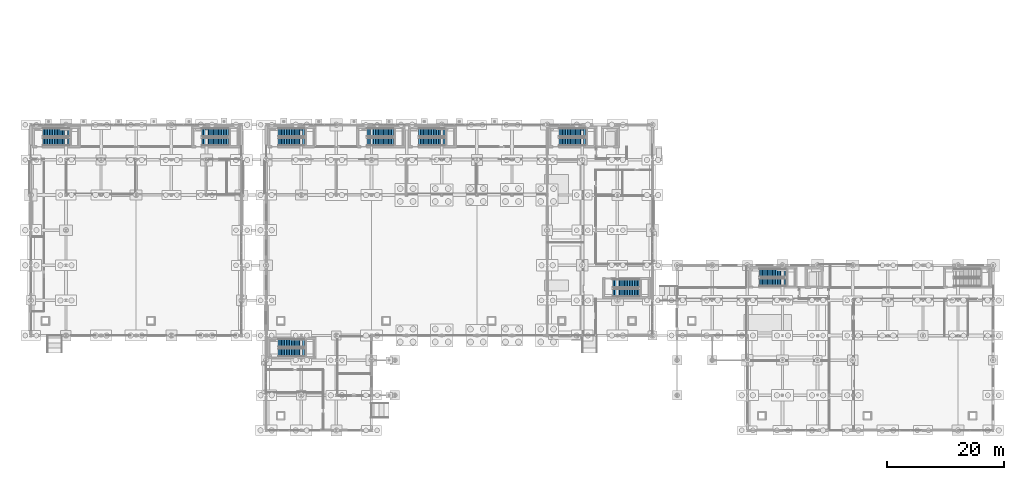
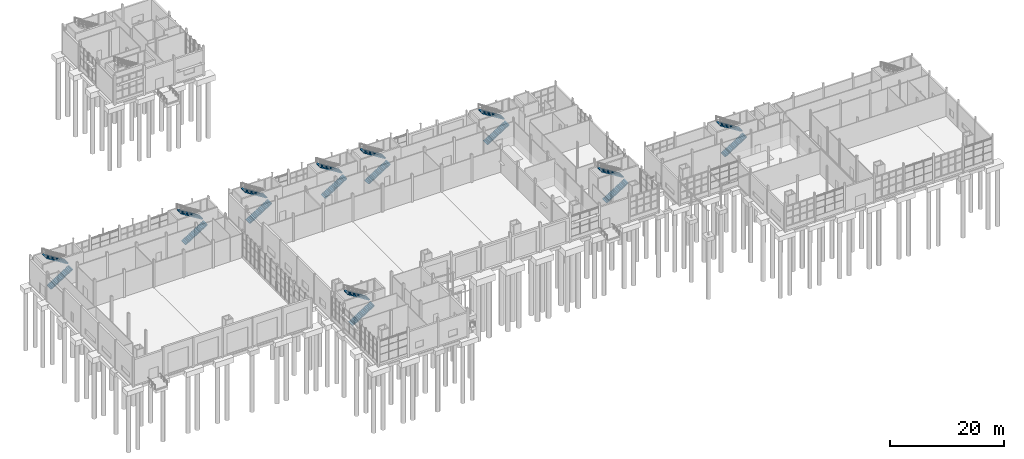
# One storey, part 105 of 120: 18 stair flights, 9 elements without a shape of their own.
"""IFC4 building model written with IfcOpenShell, lengths in metres."""

from ifc_helpers import new_model, si_unit, direction, frame, origin, place, context, subcontext, project, spatial, polyline, outline, extrude, material, type_object, element, aggregate, save


model = new_model("IFC4")

# Units and contexts
model_context = context("Model", 3, precision=1e-05, world=origin(), true_north=direction((0.0, 1.0)))
body_context = subcontext(model_context, "Body", "Model", "MODEL_VIEW")
ifc_project = project(units=[si_unit("LENGTHUNIT", "METRE"), si_unit("AREAUNIT", "SQUARE_METRE"), si_unit("VOLUMEUNIT", "CUBIC_METRE"), si_unit("PLANEANGLEUNIT", "RADIAN"), si_unit("MASSUNIT", "GRAM", prefix="KILO")], contexts=[model_context])

# Site, building, storey
site_placement = place(None, origin())
site = spatial("IfcSite", under=ifc_project, at=site_placement, CompositionType="ELEMENT")
building_placement = place(site_placement, origin())
building = spatial("IfcBuilding", under=site, at=building_placement, Name="Siltcreek Boulevard Central Fire Station", CompositionType="ELEMENT")
storey_placement = place(building_placement, origin())
storey = spatial("IfcBuildingStorey", under=building, at=storey_placement, Name="L01", CompositionType="ELEMENT", Elevation=0.0)

# Stair, stair flights
ifc_material = material(Name="Precast concrete C40/50", Category="concrete")
stair_type = type_object("IfcStairType", Name="ST_DOG_H60", PredefinedType="HALF_TURN_STAIR", material=ifc_material)
stair_1_placement = place(storey_placement, origin())
stair_1 = element("IfcStair", 1, at=stair_1_placement, inside=storey, type_object=stair_type, Name="L01 Enclosed exit stairway ST-V4A", PredefinedType="HALF_TURN_STAIR")
stair_flight_type = type_object("IfcStairFlightType", Name="SF_DOG_H60", PredefinedType="STRAIGHT", material=ifc_material)
stair_flight_1_placement = place(storey_placement, frame((3.85009765625, 51.10009765625, 0.0), z_axis=(0.0, 0.0, 1.0), x_axis=(1.0, 0.0, 0.0)))
stair_flight_1 = element("IfcStairFlight", 2, at=stair_flight_1_placement, type_object=stair_flight_type, Name="ST-V4A flight 1", NumberOfRisers=17, NumberOfTreads=16, PredefinedType="STRAIGHT", RiserHeight=0.176470588, TreadLength=0.28, context=body_context, shape_type="SweptSolid", body=[
    extrude(outline(polyline([(0.0, 0.0), (0.0, 0.176513671875), (0.280029296875, 0.176513671875), (0.280029296875, 0.35302734375), (0.56005859375, 0.35302734375), (0.56005859375, 0.529296875), (0.840087890625, 0.529296875), (0.840087890625, 0.705810546875), (1.1201171875, 0.705810546875), (1.1201171875, 0.88232421875), (1.39990234375, 0.88232421875), (1.39990234375, 1.058837890625), (1.679931640625, 1.058837890625), (1.679931640625, 1.2353515625), (1.9599609375, 1.2353515625), (1.9599609375, 1.411865234375), (2.239990234375, 1.411865234375), (2.239990234375, 1.588134765625), (2.52001953125, 1.588134765625), (2.52001953125, 1.7646484375), (2.800048828125, 1.7646484375), (2.800048828125, 1.941162109375), (3.080078125, 1.941162109375), (3.080078125, 2.11767578125), (3.360107421875, 2.11767578125), (3.360107421875, 2.294189453125), (3.639892578125, 2.294189453125), (3.639892578125, 2.470703125), (3.919921875, 2.470703125), (3.919921875, 2.64697265625), (4.199951171875, 2.64697265625), (4.199951171875, 2.823486328125), (4.47998046875, 2.823486328125), (4.47998046875, 3.0), (4.47998046875, 2.634521484375), (0.2998046875, 0.0), (0.0, 0.0)])), frame((0.0, 0.699951171875, 0.0), z_axis=(0.0, -1.0, 0.0), x_axis=(1.0, 0.0, 0.0)), (0.0, 0.0, 1.0), 1.39990234375),
])
stair_flight_2_placement = place(storey_placement, frame((8.330078125, 52.699951171875, 3.0), z_axis=(0.0, 0.0, 1.0), x_axis=(-1.0, 0.0, 0.0)))
stair_flight_2 = element("IfcStairFlight", 3, at=stair_flight_2_placement, type_object=stair_flight_type, Name="ST-V4A flight 2", NumberOfRisers=17, NumberOfTreads=16, PredefinedType="STRAIGHT", RiserHeight=0.176470588, TreadLength=0.28, context=body_context, shape_type="SweptSolid", body=[
    extrude(outline(polyline([(0.0, 0.0), (0.0, 0.176513671875), (0.280029296875, 0.176513671875), (0.280029296875, 0.35302734375), (0.56005859375, 0.35302734375), (0.56005859375, 0.529296875), (0.840087890625, 0.529296875), (0.840087890625, 0.705810546875), (1.1201171875, 0.705810546875), (1.1201171875, 0.88232421875), (1.39990234375, 0.88232421875), (1.39990234375, 1.058837890625), (1.679931640625, 1.058837890625), (1.679931640625, 1.2353515625), (1.9599609375, 1.2353515625), (1.9599609375, 1.411865234375), (2.239990234375, 1.411865234375), (2.239990234375, 1.588134765625), (2.52001953125, 1.588134765625), (2.52001953125, 1.7646484375), (2.800048828125, 1.7646484375), (2.800048828125, 1.941162109375), (3.080078125, 1.941162109375), (3.080078125, 2.11767578125), (3.360107421875, 2.11767578125), (3.360107421875, 2.294189453125), (3.639892578125, 2.294189453125), (3.639892578125, 2.470703125), (3.919921875, 2.470703125), (3.919921875, 2.64697265625), (4.199951171875, 2.64697265625), (4.199951171875, 2.823486328125), (4.47998046875, 2.823486328125), (4.47998046875, 3.0), (4.47998046875, 2.634521484375), (0.2998046875, 0.0), (0.0, 0.0)])), frame((0.0, 0.699951171875, 0.0), z_axis=(0.0, -1.0, 0.0), x_axis=(1.0, 0.0, 0.0)), (0.0, 0.0, 1.0), 1.39990234375),
])
aggregate(stair_1, [stair_flight_1, stair_flight_2])

stair_2_placement = place(storey_placement, origin())
stair_2 = element("IfcStair", 4, at=stair_2_placement, inside=storey, type_object=stair_type, Name="L01 Enclosed exit stairway ST-V4B", PredefinedType="HALF_TURN_STAIR")
stair_flight_3_placement = place(storey_placement, frame((31.050048828125, 51.10009765625, 0.0), z_axis=(0.0, 0.0, 1.0), x_axis=(1.0, 0.0, 0.0)))
stair_flight_3 = element("IfcStairFlight", 5, at=stair_flight_3_placement, type_object=stair_flight_type, Name="ST-V4B flight 1", NumberOfRisers=17, NumberOfTreads=16, PredefinedType="STRAIGHT", RiserHeight=0.176470588, TreadLength=0.28, context=body_context, shape_type="SweptSolid", body=[
    extrude(outline(polyline([(0.0, 0.0), (0.0, 0.176513671875), (0.280029296875, 0.176513671875), (0.280029296875, 0.35302734375), (0.56005859375, 0.35302734375), (0.56005859375, 0.529296875), (0.840087890625, 0.529296875), (0.840087890625, 0.705810546875), (1.1201171875, 0.705810546875), (1.1201171875, 0.88232421875), (1.39990234375, 0.88232421875), (1.39990234375, 1.058837890625), (1.679931640625, 1.058837890625), (1.679931640625, 1.2353515625), (1.9599609375, 1.2353515625), (1.9599609375, 1.411865234375), (2.239990234375, 1.411865234375), (2.239990234375, 1.588134765625), (2.52001953125, 1.588134765625), (2.52001953125, 1.7646484375), (2.800048828125, 1.7646484375), (2.800048828125, 1.941162109375), (3.080078125, 1.941162109375), (3.080078125, 2.11767578125), (3.360107421875, 2.11767578125), (3.360107421875, 2.294189453125), (3.639892578125, 2.294189453125), (3.639892578125, 2.470703125), (3.919921875, 2.470703125), (3.919921875, 2.64697265625), (4.199951171875, 2.64697265625), (4.199951171875, 2.823486328125), (4.47998046875, 2.823486328125), (4.47998046875, 3.0), (4.47998046875, 2.634521484375), (0.2998046875, 0.0), (0.0, 0.0)])), frame((0.0, 0.699951171875, 0.0), z_axis=(0.0, -1.0, 0.0), x_axis=(1.0, 0.0, 0.0)), (0.0, 0.0, 1.0), 1.39990234375),
])
stair_flight_4_placement = place(storey_placement, frame((35.530029296875, 52.699951171875, 3.0), z_axis=(0.0, 0.0, 1.0), x_axis=(-1.0, 0.0, 0.0)))
stair_flight_4 = element("IfcStairFlight", 6, at=stair_flight_4_placement, type_object=stair_flight_type, Name="ST-V4B flight 2", NumberOfRisers=17, NumberOfTreads=16, PredefinedType="STRAIGHT", RiserHeight=0.176470588, TreadLength=0.28, context=body_context, shape_type="SweptSolid", body=[
    extrude(outline(polyline([(0.0, 0.0), (0.0, 0.176513671875), (0.280029296875, 0.176513671875), (0.280029296875, 0.35302734375), (0.56005859375, 0.35302734375), (0.56005859375, 0.529296875), (0.840087890625, 0.529296875), (0.840087890625, 0.705810546875), (1.1201171875, 0.705810546875), (1.1201171875, 0.88232421875), (1.39990234375, 0.88232421875), (1.39990234375, 1.058837890625), (1.679931640625, 1.058837890625), (1.679931640625, 1.2353515625), (1.9599609375, 1.2353515625), (1.9599609375, 1.411865234375), (2.239990234375, 1.411865234375), (2.239990234375, 1.588134765625), (2.52001953125, 1.588134765625), (2.52001953125, 1.7646484375), (2.800048828125, 1.7646484375), (2.800048828125, 1.941162109375), (3.080078125, 1.941162109375), (3.080078125, 2.11767578125), (3.360107421875, 2.11767578125), (3.360107421875, 2.294189453125), (3.639892578125, 2.294189453125), (3.639892578125, 2.470703125), (3.919921875, 2.470703125), (3.919921875, 2.64697265625), (4.199951171875, 2.64697265625), (4.199951171875, 2.823486328125), (4.47998046875, 2.823486328125), (4.47998046875, 3.0), (4.47998046875, 2.634521484375), (0.2998046875, 0.0), (0.0, 0.0)])), frame((0.0, 0.699951171875, 0.0), z_axis=(0.0, -1.0, 0.0), x_axis=(1.0, 0.0, 0.0)), (0.0, 0.0, 1.0), 1.39990234375),
])
aggregate(stair_2, [stair_flight_3, stair_flight_4])

stair_3_placement = place(storey_placement, origin())
stair_3 = element("IfcStair", 7, at=stair_3_placement, inside=storey, type_object=stair_type, Name="L01 Enclosed exit stairway ST-V1A", PredefinedType="HALF_TURN_STAIR")
stair_flight_5_placement = place(storey_placement, frame((44.050048828125, 51.10009765625, 0.0), z_axis=(0.0, 0.0, 1.0), x_axis=(1.0, 0.0, 0.0)))
stair_flight_5 = element("IfcStairFlight", 8, at=stair_flight_5_placement, type_object=stair_flight_type, Name="ST-V1A flight 1", NumberOfRisers=17, NumberOfTreads=16, PredefinedType="STRAIGHT", RiserHeight=0.176470588, TreadLength=0.28, context=body_context, shape_type="SweptSolid", body=[
    extrude(outline(polyline([(0.0, 0.0), (0.0, 0.176513671875), (0.280029296875, 0.176513671875), (0.280029296875, 0.35302734375), (0.56005859375, 0.35302734375), (0.56005859375, 0.529296875), (0.840087890625, 0.529296875), (0.840087890625, 0.705810546875), (1.1201171875, 0.705810546875), (1.1201171875, 0.88232421875), (1.39990234375, 0.88232421875), (1.39990234375, 1.058837890625), (1.679931640625, 1.058837890625), (1.679931640625, 1.2353515625), (1.9599609375, 1.2353515625), (1.9599609375, 1.411865234375), (2.239990234375, 1.411865234375), (2.239990234375, 1.588134765625), (2.52001953125, 1.588134765625), (2.52001953125, 1.7646484375), (2.800048828125, 1.7646484375), (2.800048828125, 1.941162109375), (3.080078125, 1.941162109375), (3.080078125, 2.11767578125), (3.360107421875, 2.11767578125), (3.360107421875, 2.294189453125), (3.639892578125, 2.294189453125), (3.639892578125, 2.470703125), (3.919921875, 2.470703125), (3.919921875, 2.64697265625), (4.199951171875, 2.64697265625), (4.199951171875, 2.823486328125), (4.47998046875, 2.823486328125), (4.47998046875, 3.0), (4.47998046875, 2.634521484375), (0.2998046875, 0.0), (0.0, 0.0)])), frame((0.0, 0.699951171875, 0.0), z_axis=(0.0, -1.0, 0.0), x_axis=(1.0, 0.0, 0.0)), (0.0, 0.0, 1.0), 1.39990234375),
])
stair_flight_6_placement = place(storey_placement, frame((48.530029296875, 52.699951171875, 3.0), z_axis=(0.0, 0.0, 1.0), x_axis=(-1.0, 0.0, 0.0)))
stair_flight_6 = element("IfcStairFlight", 9, at=stair_flight_6_placement, type_object=stair_flight_type, Name="ST-V1A flight 2", NumberOfRisers=17, NumberOfTreads=16, PredefinedType="STRAIGHT", RiserHeight=0.176470588, TreadLength=0.28, context=body_context, shape_type="SweptSolid", body=[
    extrude(outline(polyline([(0.0, 0.0), (0.0, 0.176513671875), (0.280029296875, 0.176513671875), (0.280029296875, 0.35302734375), (0.56005859375, 0.35302734375), (0.56005859375, 0.529296875), (0.840087890625, 0.529296875), (0.840087890625, 0.705810546875), (1.1201171875, 0.705810546875), (1.1201171875, 0.88232421875), (1.39990234375, 0.88232421875), (1.39990234375, 1.058837890625), (1.679931640625, 1.058837890625), (1.679931640625, 1.2353515625), (1.9599609375, 1.2353515625), (1.9599609375, 1.411865234375), (2.239990234375, 1.411865234375), (2.239990234375, 1.588134765625), (2.52001953125, 1.588134765625), (2.52001953125, 1.7646484375), (2.800048828125, 1.7646484375), (2.800048828125, 1.941162109375), (3.080078125, 1.941162109375), (3.080078125, 2.11767578125), (3.360107421875, 2.11767578125), (3.360107421875, 2.294189453125), (3.639892578125, 2.294189453125), (3.639892578125, 2.470703125), (3.919921875, 2.470703125), (3.919921875, 2.64697265625), (4.199951171875, 2.64697265625), (4.199951171875, 2.823486328125), (4.47998046875, 2.823486328125), (4.47998046875, 3.0), (4.47998046875, 2.634521484375), (0.2998046875, 0.0), (0.0, 0.0)])), frame((0.0, 0.699951171875, 0.0), z_axis=(0.0, -1.0, 0.0), x_axis=(1.0, 0.0, 0.0)), (0.0, 0.0, 1.0), 1.39990234375),
])
aggregate(stair_3, [stair_flight_5, stair_flight_6])

stair_4_placement = place(storey_placement, origin())
stair_4 = element("IfcStair", 10, at=stair_4_placement, inside=storey, type_object=stair_type, Name="L01 Enclosed exit stairway ST-V1B", PredefinedType="HALF_TURN_STAIR")
stair_flight_7_placement = place(storey_placement, frame((59.25, 51.10009765625, 0.0), z_axis=(0.0, 0.0, 1.0), x_axis=(1.0, 0.0, 0.0)))
stair_flight_7 = element("IfcStairFlight", 11, at=stair_flight_7_placement, type_object=stair_flight_type, Name="ST-V1B flight 1", NumberOfRisers=17, NumberOfTreads=16, PredefinedType="STRAIGHT", RiserHeight=0.176470588, TreadLength=0.28, context=body_context, shape_type="SweptSolid", body=[
    extrude(outline(polyline([(0.0, 0.0), (0.0, 0.176513671875), (0.280029296875, 0.176513671875), (0.280029296875, 0.35302734375), (0.56005859375, 0.35302734375), (0.56005859375, 0.529296875), (0.840087890625, 0.529296875), (0.840087890625, 0.705810546875), (1.1201171875, 0.705810546875), (1.1201171875, 0.88232421875), (1.39990234375, 0.88232421875), (1.39990234375, 1.058837890625), (1.679931640625, 1.058837890625), (1.679931640625, 1.2353515625), (1.9599609375, 1.2353515625), (1.9599609375, 1.411865234375), (2.239990234375, 1.411865234375), (2.239990234375, 1.588134765625), (2.52001953125, 1.588134765625), (2.52001953125, 1.7646484375), (2.800048828125, 1.7646484375), (2.800048828125, 1.941162109375), (3.080078125, 1.941162109375), (3.080078125, 2.11767578125), (3.360107421875, 2.11767578125), (3.360107421875, 2.294189453125), (3.639892578125, 2.294189453125), (3.639892578125, 2.470703125), (3.919921875, 2.470703125), (3.919921875, 2.64697265625), (4.199951171875, 2.64697265625), (4.199951171875, 2.823486328125), (4.47998046875, 2.823486328125), (4.47998046875, 3.0), (4.47998046875, 2.634521484375), (0.2998046875, 0.0), (0.0, 0.0)])), frame((0.0, 0.699951171875, 0.0), z_axis=(0.0, -1.0, 0.0), x_axis=(1.0, 0.0, 0.0)), (0.0, 0.0, 1.0), 1.39990234375),
])
stair_flight_8_placement = place(storey_placement, frame((63.72998046875, 52.699951171875, 3.0), z_axis=(0.0, 0.0, 1.0), x_axis=(-1.0, 0.0, 0.0)))
stair_flight_8 = element("IfcStairFlight", 12, at=stair_flight_8_placement, type_object=stair_flight_type, Name="ST-V1B flight 2", NumberOfRisers=17, NumberOfTreads=16, PredefinedType="STRAIGHT", RiserHeight=0.176470588, TreadLength=0.28, context=body_context, shape_type="SweptSolid", body=[
    extrude(outline(polyline([(0.0, 0.0), (0.0, 0.176513671875), (0.280029296875, 0.176513671875), (0.280029296875, 0.35302734375), (0.56005859375, 0.35302734375), (0.56005859375, 0.529296875), (0.840087890625, 0.529296875), (0.840087890625, 0.705810546875), (1.1201171875, 0.705810546875), (1.1201171875, 0.88232421875), (1.39990234375, 0.88232421875), (1.39990234375, 1.058837890625), (1.679931640625, 1.058837890625), (1.679931640625, 1.2353515625), (1.9599609375, 1.2353515625), (1.9599609375, 1.411865234375), (2.239990234375, 1.411865234375), (2.239990234375, 1.588134765625), (2.52001953125, 1.588134765625), (2.52001953125, 1.7646484375), (2.800048828125, 1.7646484375), (2.800048828125, 1.941162109375), (3.080078125, 1.941162109375), (3.080078125, 2.11767578125), (3.360107421875, 2.11767578125), (3.360107421875, 2.294189453125), (3.639892578125, 2.294189453125), (3.639892578125, 2.470703125), (3.919921875, 2.470703125), (3.919921875, 2.64697265625), (4.199951171875, 2.64697265625), (4.199951171875, 2.823486328125), (4.47998046875, 2.823486328125), (4.47998046875, 3.0), (4.47998046875, 2.634521484375), (0.2998046875, 0.0), (0.0, 0.0)])), frame((0.0, 0.699951171875, 0.0), z_axis=(0.0, -1.0, 0.0), x_axis=(1.0, 0.0, 0.0)), (0.0, 0.0, 1.0), 1.39990234375),
])
aggregate(stair_4, [stair_flight_7, stair_flight_8])

stair_5_placement = place(storey_placement, origin())
stair_5 = element("IfcStair", 13, at=stair_5_placement, inside=storey, type_object=stair_type, Name="L01 Enclosed exit stairway ST-V2A", PredefinedType="HALF_TURN_STAIR")
stair_flight_9_placement = place(storey_placement, frame((92.050048828125, 51.10009765625, 0.0), z_axis=(0.0, 0.0, 1.0), x_axis=(1.0, 0.0, 0.0)))
stair_flight_9 = element("IfcStairFlight", 14, at=stair_flight_9_placement, type_object=stair_flight_type, Name="ST-V2A flight 1", NumberOfRisers=17, NumberOfTreads=16, PredefinedType="STRAIGHT", RiserHeight=0.176470588, TreadLength=0.28, context=body_context, shape_type="SweptSolid", body=[
    extrude(outline(polyline([(0.0, 0.0), (0.0, 0.176513671875), (0.280029296875, 0.176513671875), (0.280029296875, 0.35302734375), (0.56005859375, 0.35302734375), (0.56005859375, 0.529296875), (0.840087890625, 0.529296875), (0.840087890625, 0.705810546875), (1.1201171875, 0.705810546875), (1.1201171875, 0.88232421875), (1.39990234375, 0.88232421875), (1.39990234375, 1.058837890625), (1.679931640625, 1.058837890625), (1.679931640625, 1.2353515625), (1.9599609375, 1.2353515625), (1.9599609375, 1.411865234375), (2.239990234375, 1.411865234375), (2.239990234375, 1.588134765625), (2.52001953125, 1.588134765625), (2.52001953125, 1.7646484375), (2.800048828125, 1.7646484375), (2.800048828125, 1.941162109375), (3.080078125, 1.941162109375), (3.080078125, 2.11767578125), (3.360107421875, 2.11767578125), (3.360107421875, 2.294189453125), (3.639892578125, 2.294189453125), (3.639892578125, 2.470703125), (3.919921875, 2.470703125), (3.919921875, 2.64697265625), (4.199951171875, 2.64697265625), (4.199951171875, 2.823486328125), (4.47998046875, 2.823486328125), (4.47998046875, 3.0), (4.47998046875, 2.634521484375), (0.2998046875, 0.0), (0.0, 0.0)])), frame((0.0, 0.699951171875, 0.0), z_axis=(0.0, -1.0, 0.0), x_axis=(1.0, 0.0, 0.0)), (0.0, 0.0, 1.0), 1.39990234375),
])
stair_flight_10_placement = place(storey_placement, frame((96.530029296875, 52.699951171875, 3.0), z_axis=(0.0, 0.0, 1.0), x_axis=(-1.0, 0.0, 0.0)))
stair_flight_10 = element("IfcStairFlight", 15, at=stair_flight_10_placement, type_object=stair_flight_type, Name="ST-V2A flight 2", NumberOfRisers=17, NumberOfTreads=16, PredefinedType="STRAIGHT", RiserHeight=0.176470588, TreadLength=0.28, context=body_context, shape_type="SweptSolid", body=[
    extrude(outline(polyline([(0.0, 0.0), (0.0, 0.176513671875), (0.280029296875, 0.176513671875), (0.280029296875, 0.35302734375), (0.56005859375, 0.35302734375), (0.56005859375, 0.529296875), (0.840087890625, 0.529296875), (0.840087890625, 0.705810546875), (1.1201171875, 0.705810546875), (1.1201171875, 0.88232421875), (1.39990234375, 0.88232421875), (1.39990234375, 1.058837890625), (1.679931640625, 1.058837890625), (1.679931640625, 1.2353515625), (1.9599609375, 1.2353515625), (1.9599609375, 1.411865234375), (2.239990234375, 1.411865234375), (2.239990234375, 1.588134765625), (2.52001953125, 1.588134765625), (2.52001953125, 1.7646484375), (2.800048828125, 1.7646484375), (2.800048828125, 1.941162109375), (3.080078125, 1.941162109375), (3.080078125, 2.11767578125), (3.360107421875, 2.11767578125), (3.360107421875, 2.294189453125), (3.639892578125, 2.294189453125), (3.639892578125, 2.470703125), (3.919921875, 2.470703125), (3.919921875, 2.64697265625), (4.199951171875, 2.64697265625), (4.199951171875, 2.823486328125), (4.47998046875, 2.823486328125), (4.47998046875, 3.0), (4.47998046875, 2.634521484375), (0.2998046875, 0.0), (0.0, 0.0)])), frame((0.0, 0.699951171875, 0.0), z_axis=(0.0, -1.0, 0.0), x_axis=(1.0, 0.0, 0.0)), (0.0, 0.0, 1.0), 1.39990234375),
])
aggregate(stair_5, [stair_flight_9, stair_flight_10])

stair_6_placement = place(storey_placement, origin())
stair_6 = element("IfcStair", 16, at=stair_6_placement, inside=storey, type_object=stair_type, Name="L01 Enclosed exit stairway ST-V2B", PredefinedType="HALF_TURN_STAIR")
stair_flight_11_placement = place(storey_placement, frame((101.25, 25.300048828125, 0.0), z_axis=(0.0, 0.0, 1.0), x_axis=(1.0, 0.0, 0.0)))
stair_flight_11 = element("IfcStairFlight", 17, at=stair_flight_11_placement, type_object=stair_flight_type, Name="ST-V2B flight 1", NumberOfRisers=17, NumberOfTreads=16, PredefinedType="STRAIGHT", RiserHeight=0.176470588, TreadLength=0.28, context=body_context, shape_type="SweptSolid", body=[
    extrude(outline(polyline([(0.0, 0.0), (0.0, 0.176513671875), (0.280029296875, 0.176513671875), (0.280029296875, 0.35302734375), (0.56005859375, 0.35302734375), (0.56005859375, 0.529296875), (0.840087890625, 0.529296875), (0.840087890625, 0.705810546875), (1.1201171875, 0.705810546875), (1.1201171875, 0.88232421875), (1.39990234375, 0.88232421875), (1.39990234375, 1.058837890625), (1.679931640625, 1.058837890625), (1.679931640625, 1.2353515625), (1.9599609375, 1.2353515625), (1.9599609375, 1.411865234375), (2.239990234375, 1.411865234375), (2.239990234375, 1.588134765625), (2.52001953125, 1.588134765625), (2.52001953125, 1.7646484375), (2.800048828125, 1.7646484375), (2.800048828125, 1.941162109375), (3.080078125, 1.941162109375), (3.080078125, 2.11767578125), (3.360107421875, 2.11767578125), (3.360107421875, 2.294189453125), (3.639892578125, 2.294189453125), (3.639892578125, 2.470703125), (3.919921875, 2.470703125), (3.919921875, 2.64697265625), (4.199951171875, 2.64697265625), (4.199951171875, 2.823486328125), (4.47998046875, 2.823486328125), (4.47998046875, 3.0), (4.47998046875, 2.634521484375), (0.2998046875, 0.0), (0.0, 0.0)])), frame((0.0, 0.699951171875, 0.0), z_axis=(0.0, -1.0, 0.0), x_axis=(1.0, 0.0, 0.0)), (0.0, 0.0, 1.0), 1.39990234375),
])
stair_flight_12_placement = place(storey_placement, frame((105.72998046875, 26.89990234375, 3.0), z_axis=(0.0, 0.0, 1.0), x_axis=(-1.0, 0.0, 0.0)))
stair_flight_12 = element("IfcStairFlight", 18, at=stair_flight_12_placement, type_object=stair_flight_type, Name="ST-V2B flight 2", NumberOfRisers=17, NumberOfTreads=16, PredefinedType="STRAIGHT", RiserHeight=0.176470588, TreadLength=0.28, context=body_context, shape_type="SweptSolid", body=[
    extrude(outline(polyline([(0.0, 0.0), (0.0, 0.176513671875), (0.280029296875, 0.176513671875), (0.280029296875, 0.35302734375), (0.56005859375, 0.35302734375), (0.56005859375, 0.529296875), (0.840087890625, 0.529296875), (0.840087890625, 0.705810546875), (1.1201171875, 0.705810546875), (1.1201171875, 0.88232421875), (1.39990234375, 0.88232421875), (1.39990234375, 1.058837890625), (1.679931640625, 1.058837890625), (1.679931640625, 1.2353515625), (1.9599609375, 1.2353515625), (1.9599609375, 1.411865234375), (2.239990234375, 1.411865234375), (2.239990234375, 1.588134765625), (2.52001953125, 1.588134765625), (2.52001953125, 1.7646484375), (2.800048828125, 1.7646484375), (2.800048828125, 1.941162109375), (3.080078125, 1.941162109375), (3.080078125, 2.11767578125), (3.360107421875, 2.11767578125), (3.360107421875, 2.294189453125), (3.639892578125, 2.294189453125), (3.639892578125, 2.470703125), (3.919921875, 2.470703125), (3.919921875, 2.64697265625), (4.199951171875, 2.64697265625), (4.199951171875, 2.823486328125), (4.47998046875, 2.823486328125), (4.47998046875, 3.0), (4.47998046875, 2.634521484375), (0.2998046875, 0.0), (0.0, 0.0)])), frame((0.0, 0.699951171875, 0.0), z_axis=(0.0, -1.0, 0.0), x_axis=(1.0, 0.0, 0.0)), (0.0, 0.0, 1.0), 1.39990234375),
])
aggregate(stair_6, [stair_flight_11, stair_flight_12])

stair_7_placement = place(storey_placement, origin())
stair_7 = element("IfcStair", 19, at=stair_7_placement, inside=storey, type_object=stair_type, Name="L01 Enclosed exit stairway ST-V2C", PredefinedType="HALF_TURN_STAIR")
stair_flight_13_placement = place(storey_placement, frame((68.050048828125, 51.10009765625, 0.0), z_axis=(0.0, 0.0, 1.0), x_axis=(1.0, 0.0, 0.0)))
stair_flight_13 = element("IfcStairFlight", 20, at=stair_flight_13_placement, type_object=stair_flight_type, Name="ST-V2C flight 1", NumberOfRisers=17, NumberOfTreads=16, PredefinedType="STRAIGHT", RiserHeight=0.176470588, TreadLength=0.28, context=body_context, shape_type="SweptSolid", body=[
    extrude(outline(polyline([(0.0, 0.0), (0.0, 0.176513671875), (0.280029296875, 0.176513671875), (0.280029296875, 0.35302734375), (0.56005859375, 0.35302734375), (0.56005859375, 0.529296875), (0.840087890625, 0.529296875), (0.840087890625, 0.705810546875), (1.1201171875, 0.705810546875), (1.1201171875, 0.88232421875), (1.39990234375, 0.88232421875), (1.39990234375, 1.058837890625), (1.679931640625, 1.058837890625), (1.679931640625, 1.2353515625), (1.9599609375, 1.2353515625), (1.9599609375, 1.411865234375), (2.239990234375, 1.411865234375), (2.239990234375, 1.588134765625), (2.52001953125, 1.588134765625), (2.52001953125, 1.7646484375), (2.800048828125, 1.7646484375), (2.800048828125, 1.941162109375), (3.080078125, 1.941162109375), (3.080078125, 2.11767578125), (3.360107421875, 2.11767578125), (3.360107421875, 2.294189453125), (3.639892578125, 2.294189453125), (3.639892578125, 2.470703125), (3.919921875, 2.470703125), (3.919921875, 2.64697265625), (4.199951171875, 2.64697265625), (4.199951171875, 2.823486328125), (4.47998046875, 2.823486328125), (4.47998046875, 3.0), (4.47998046875, 2.634521484375), (0.2998046875, 0.0), (0.0, 0.0)])), frame((0.0, 0.699951171875, 0.0), z_axis=(0.0, -1.0, 0.0), x_axis=(1.0, 0.0, 0.0)), (0.0, 0.0, 1.0), 1.39990234375),
])
stair_flight_14_placement = place(storey_placement, frame((72.530029296875, 52.699951171875, 3.0), z_axis=(0.0, 0.0, 1.0), x_axis=(-1.0, 0.0, 0.0)))
stair_flight_14 = element("IfcStairFlight", 21, at=stair_flight_14_placement, type_object=stair_flight_type, Name="ST-V2C flight 2", NumberOfRisers=17, NumberOfTreads=16, PredefinedType="STRAIGHT", RiserHeight=0.176470588, TreadLength=0.28, context=body_context, shape_type="SweptSolid", body=[
    extrude(outline(polyline([(0.0, 0.0), (0.0, 0.176513671875), (0.280029296875, 0.176513671875), (0.280029296875, 0.35302734375), (0.56005859375, 0.35302734375), (0.56005859375, 0.529296875), (0.840087890625, 0.529296875), (0.840087890625, 0.705810546875), (1.1201171875, 0.705810546875), (1.1201171875, 0.88232421875), (1.39990234375, 0.88232421875), (1.39990234375, 1.058837890625), (1.679931640625, 1.058837890625), (1.679931640625, 1.2353515625), (1.9599609375, 1.2353515625), (1.9599609375, 1.411865234375), (2.239990234375, 1.411865234375), (2.239990234375, 1.588134765625), (2.52001953125, 1.588134765625), (2.52001953125, 1.7646484375), (2.800048828125, 1.7646484375), (2.800048828125, 1.941162109375), (3.080078125, 1.941162109375), (3.080078125, 2.11767578125), (3.360107421875, 2.11767578125), (3.360107421875, 2.294189453125), (3.639892578125, 2.294189453125), (3.639892578125, 2.470703125), (3.919921875, 2.470703125), (3.919921875, 2.64697265625), (4.199951171875, 2.64697265625), (4.199951171875, 2.823486328125), (4.47998046875, 2.823486328125), (4.47998046875, 3.0), (4.47998046875, 2.634521484375), (0.2998046875, 0.0), (0.0, 0.0)])), frame((0.0, 0.699951171875, 0.0), z_axis=(0.0, -1.0, 0.0), x_axis=(1.0, 0.0, 0.0)), (0.0, 0.0, 1.0), 1.39990234375),
])
aggregate(stair_7, [stair_flight_13, stair_flight_14])

stair_8_placement = place(storey_placement, origin())
stair_8 = element("IfcStair", 22, at=stair_8_placement, inside=storey, type_object=stair_type, Name="L01 Enclosed exit stairway ST-V1P", PredefinedType="HALF_TURN_STAIR")
stair_flight_15_placement = place(storey_placement, frame((44.050048828125, 15.10009765625, 0.0), z_axis=(0.0, 0.0, 1.0), x_axis=(1.0, 0.0, 0.0)))
stair_flight_15 = element("IfcStairFlight", 23, at=stair_flight_15_placement, type_object=stair_flight_type, Name="ST-V1P flight 1", NumberOfRisers=17, NumberOfTreads=16, PredefinedType="STRAIGHT", RiserHeight=0.176470588, TreadLength=0.28, context=body_context, shape_type="SweptSolid", body=[
    extrude(outline(polyline([(0.0, 0.0), (0.0, 0.176513671875), (0.280029296875, 0.176513671875), (0.280029296875, 0.35302734375), (0.56005859375, 0.35302734375), (0.56005859375, 0.529296875), (0.840087890625, 0.529296875), (0.840087890625, 0.705810546875), (1.1201171875, 0.705810546875), (1.1201171875, 0.88232421875), (1.39990234375, 0.88232421875), (1.39990234375, 1.058837890625), (1.679931640625, 1.058837890625), (1.679931640625, 1.2353515625), (1.9599609375, 1.2353515625), (1.9599609375, 1.411865234375), (2.239990234375, 1.411865234375), (2.239990234375, 1.588134765625), (2.52001953125, 1.588134765625), (2.52001953125, 1.7646484375), (2.800048828125, 1.7646484375), (2.800048828125, 1.941162109375), (3.080078125, 1.941162109375), (3.080078125, 2.11767578125), (3.360107421875, 2.11767578125), (3.360107421875, 2.294189453125), (3.639892578125, 2.294189453125), (3.639892578125, 2.470703125), (3.919921875, 2.470703125), (3.919921875, 2.64697265625), (4.199951171875, 2.64697265625), (4.199951171875, 2.823486328125), (4.47998046875, 2.823486328125), (4.47998046875, 3.0), (4.47998046875, 2.634521484375), (0.2998046875, 0.0), (0.0, 0.0)])), frame((0.0, 0.699951171875, 0.0), z_axis=(0.0, -1.0, 0.0), x_axis=(1.0, 0.0, 0.0)), (0.0, 0.0, 1.0), 1.39990234375),
])
stair_flight_16_placement = place(storey_placement, frame((48.530029296875, 16.699951171875, 3.0), z_axis=(0.0, 0.0, 1.0), x_axis=(-1.0, 0.0, 0.0)))
stair_flight_16 = element("IfcStairFlight", 24, at=stair_flight_16_placement, type_object=stair_flight_type, Name="ST-V1P flight 2", NumberOfRisers=17, NumberOfTreads=16, PredefinedType="STRAIGHT", RiserHeight=0.176470588, TreadLength=0.28, context=body_context, shape_type="SweptSolid", body=[
    extrude(outline(polyline([(0.0, 0.0), (0.0, 0.176513671875), (0.280029296875, 0.176513671875), (0.280029296875, 0.35302734375), (0.56005859375, 0.35302734375), (0.56005859375, 0.529296875), (0.840087890625, 0.529296875), (0.840087890625, 0.705810546875), (1.1201171875, 0.705810546875), (1.1201171875, 0.88232421875), (1.39990234375, 0.88232421875), (1.39990234375, 1.058837890625), (1.679931640625, 1.058837890625), (1.679931640625, 1.2353515625), (1.9599609375, 1.2353515625), (1.9599609375, 1.411865234375), (2.239990234375, 1.411865234375), (2.239990234375, 1.588134765625), (2.52001953125, 1.588134765625), (2.52001953125, 1.7646484375), (2.800048828125, 1.7646484375), (2.800048828125, 1.941162109375), (3.080078125, 1.941162109375), (3.080078125, 2.11767578125), (3.360107421875, 2.11767578125), (3.360107421875, 2.294189453125), (3.639892578125, 2.294189453125), (3.639892578125, 2.470703125), (3.919921875, 2.470703125), (3.919921875, 2.64697265625), (4.199951171875, 2.64697265625), (4.199951171875, 2.823486328125), (4.47998046875, 2.823486328125), (4.47998046875, 3.0), (4.47998046875, 2.634521484375), (0.2998046875, 0.0), (0.0, 0.0)])), frame((0.0, 0.699951171875, 0.0), z_axis=(0.0, -1.0, 0.0), x_axis=(1.0, 0.0, 0.0)), (0.0, 0.0, 1.0), 1.39990234375),
])
aggregate(stair_8, [stair_flight_15, stair_flight_16])

stair_9_placement = place(storey_placement, origin())
stair_9 = element("IfcStair", 25, at=stair_9_placement, inside=storey, type_object=stair_type, Name="L01 Enclosed exit stairway ST-V6A", PredefinedType="HALF_TURN_STAIR")
stair_flight_17_placement = place(storey_placement, frame((126.25, 27.10009765625, 0.0), z_axis=(0.0, 0.0, 1.0), x_axis=(1.0, 0.0, 0.0)))
stair_flight_17 = element("IfcStairFlight", 26, at=stair_flight_17_placement, type_object=stair_flight_type, Name="ST-V6A flight 1", NumberOfRisers=17, NumberOfTreads=16, PredefinedType="STRAIGHT", RiserHeight=0.176470588, TreadLength=0.28, context=body_context, shape_type="SweptSolid", body=[
    extrude(outline(polyline([(0.0, 0.0), (0.0, 0.176513671875), (0.280029296875, 0.176513671875), (0.280029296875, 0.35302734375), (0.56005859375, 0.35302734375), (0.56005859375, 0.529296875), (0.840087890625, 0.529296875), (0.840087890625, 0.705810546875), (1.1201171875, 0.705810546875), (1.1201171875, 0.88232421875), (1.39990234375, 0.88232421875), (1.39990234375, 1.058837890625), (1.679931640625, 1.058837890625), (1.679931640625, 1.2353515625), (1.9599609375, 1.2353515625), (1.9599609375, 1.411865234375), (2.239990234375, 1.411865234375), (2.239990234375, 1.588134765625), (2.52001953125, 1.588134765625), (2.52001953125, 1.7646484375), (2.800048828125, 1.7646484375), (2.800048828125, 1.941162109375), (3.080078125, 1.941162109375), (3.080078125, 2.11767578125), (3.360107421875, 2.11767578125), (3.360107421875, 2.294189453125), (3.639892578125, 2.294189453125), (3.639892578125, 2.470703125), (3.919921875, 2.470703125), (3.919921875, 2.64697265625), (4.199951171875, 2.64697265625), (4.199951171875, 2.823486328125), (4.47998046875, 2.823486328125), (4.47998046875, 3.0), (4.47998046875, 2.634521484375), (0.2998046875, 0.0), (0.0, 0.0)])), frame((0.0, 0.699951171875, 0.0), z_axis=(0.0, -1.0, 0.0), x_axis=(1.0, 0.0, 0.0)), (0.0, 0.0, 1.0), 1.39990234375),
])
stair_flight_18_placement = place(storey_placement, frame((130.72998046875, 28.699951171875, 3.0), z_axis=(0.0, 0.0, 1.0), x_axis=(-1.0, 0.0, 0.0)))
stair_flight_18 = element("IfcStairFlight", 27, at=stair_flight_18_placement, type_object=stair_flight_type, Name="ST-V6A flight 2", NumberOfRisers=17, NumberOfTreads=16, PredefinedType="STRAIGHT", RiserHeight=0.176470588, TreadLength=0.28, context=body_context, shape_type="SweptSolid", body=[
    extrude(outline(polyline([(0.0, 0.0), (0.0, 0.176513671875), (0.280029296875, 0.176513671875), (0.280029296875, 0.35302734375), (0.56005859375, 0.35302734375), (0.56005859375, 0.529296875), (0.840087890625, 0.529296875), (0.840087890625, 0.705810546875), (1.1201171875, 0.705810546875), (1.1201171875, 0.88232421875), (1.39990234375, 0.88232421875), (1.39990234375, 1.058837890625), (1.679931640625, 1.058837890625), (1.679931640625, 1.2353515625), (1.9599609375, 1.2353515625), (1.9599609375, 1.411865234375), (2.239990234375, 1.411865234375), (2.239990234375, 1.588134765625), (2.52001953125, 1.588134765625), (2.52001953125, 1.7646484375), (2.800048828125, 1.7646484375), (2.800048828125, 1.941162109375), (3.080078125, 1.941162109375), (3.080078125, 2.11767578125), (3.360107421875, 2.11767578125), (3.360107421875, 2.294189453125), (3.639892578125, 2.294189453125), (3.639892578125, 2.470703125), (3.919921875, 2.470703125), (3.919921875, 2.64697265625), (4.199951171875, 2.64697265625), (4.199951171875, 2.823486328125), (4.47998046875, 2.823486328125), (4.47998046875, 3.0), (4.47998046875, 2.634521484375), (0.2998046875, 0.0), (0.0, 0.0)])), frame((0.0, 0.699951171875, 0.0), z_axis=(0.0, -1.0, 0.0), x_axis=(1.0, 0.0, 0.0)), (0.0, 0.0, 1.0), 1.39990234375),
])
aggregate(stair_9, [stair_flight_17, stair_flight_18])

save(model, "model.ifc")
